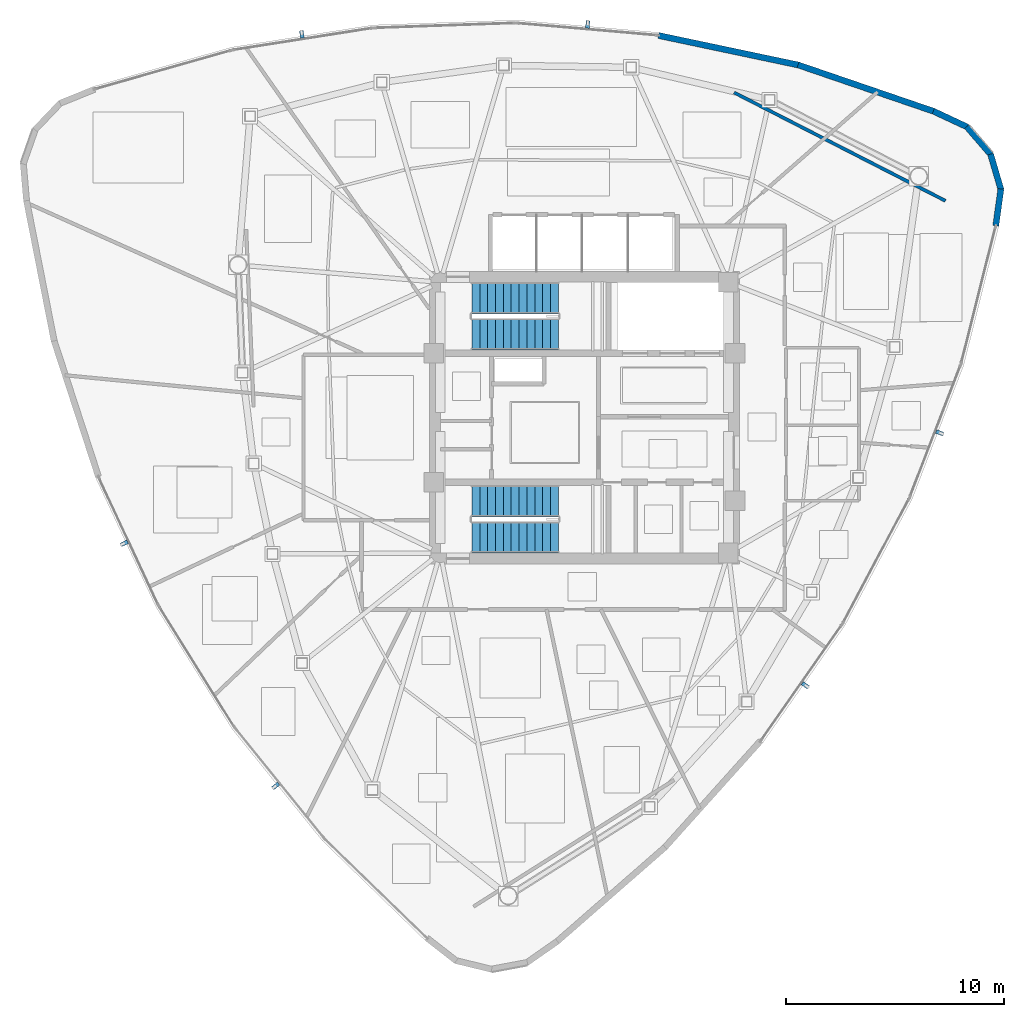
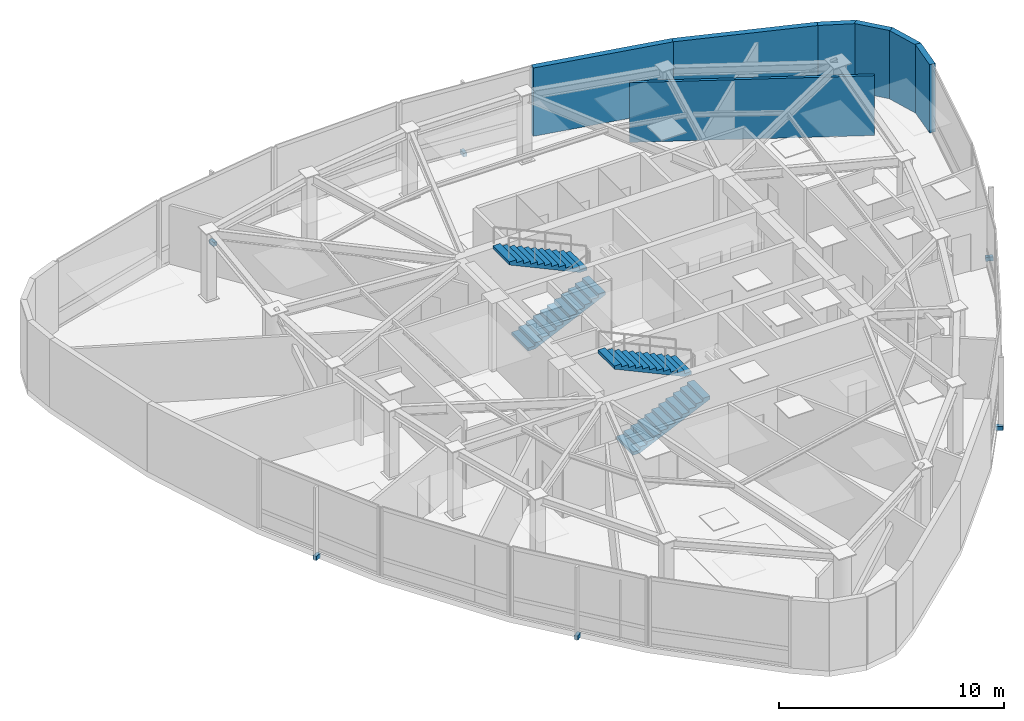
# One storey, part 10 of 12: 7 walls, 6 discrete accessories, 4 stair flights, 2 elements without a shape of their own.
"""IFC4 building model written with IfcOpenShell, lengths in metres."""

from ifc_helpers import new_model, si_unit, direction, frame, frame_2d, origin, origin_2d, place, context, subcontext, project, spatial, polyline, rectangle, outline, extrude, source, transform, mapped, material, layer, layer_set, type_object, type_shapes, element, aggregate, save


model = new_model("IFC4")

# Units and contexts
model_context = context("Model", 3, precision=1e-05, world=origin(), true_north=direction((0.0, 1.0)))
body_context = subcontext(model_context, "Body", "Model", "MODEL_VIEW")
ifc_project = project(units=[si_unit("LENGTHUNIT", "METRE"), si_unit("AREAUNIT", "SQUARE_METRE"), si_unit("VOLUMEUNIT", "CUBIC_METRE"), si_unit("PLANEANGLEUNIT", "RADIAN"), si_unit("MASSUNIT", "GRAM", prefix="KILO")], contexts=[model_context])

# Site, building, storey
site_placement = place(None, origin())
site = spatial("IfcSite", under=ifc_project, at=site_placement, CompositionType="ELEMENT")
building_placement = place(site_placement, origin())
building = spatial("IfcBuilding", under=site, at=building_placement, Name="Tavelor Broadcast Tower", CompositionType="ELEMENT")
storey_placement = place(building_placement, frame((0.0, 0.0, 289.5)))
storey = spatial("IfcBuildingStorey", under=building, at=storey_placement, Name="L69", CompositionType="ELEMENT", Elevation=289.5)

# Walls
ifc_material_1 = material(Name="Precast Concrete C40/50", Category="concrete")
ifc_layer_1 = layer(ifc_material_1, 0.280029296875)
ifc_layer_set_1 = layer_set([ifc_layer_1], Name="Precast Concrete C40/50")
wall_type_1 = type_object("IfcWallType", Name="Insulated Precast Terracotta Facade Wall 280 mm", PredefinedType="STANDARD", material=ifc_layer_set_1)
wall_1_placement = place(storey_placement, frame((68.84765625, 53.788818359375, 0.0), z_axis=(0.0, 0.0, 1.0), x_axis=(0.13837556613, 0.99037982749, 0.0)))
element("IfcWall", 1, at=wall_1_placement, inside=storey, type_object=wall_type_1, Name="L69 Rounded Corner Structural Cladding Pier 21", PredefinedType="STANDARD", context=body_context, shape_type="SweptSolid", body=[
    extrude(rectangle(XDim=1.7060546875, YDim=0.280029296875, at=frame_2d((0.85302734375, 0.0))), origin(), (0.0, 0.0, 1.0), 3.699951171875),
])
wall_2_placement = place(storey_placement, frame((69.085693359375, 55.44921875, 0.0), z_axis=(0.0, 0.0, 1.0), x_axis=(-0.28139396641, 0.95959232785, 0.0)))
element("IfcWall", 2, at=wall_2_placement, inside=storey, type_object=wall_type_1, Name="L69 Rounded Corner Structural Cladding Pier 22", PredefinedType="STANDARD", context=body_context, shape_type="SweptSolid", body=[
    extrude(rectangle(XDim=1.6943359375, YDim=0.280029296875, at=frame_2d((0.84716796875, 0.0))), origin(), (0.0, 0.0, 1.0), 3.699951171875),
])
wall_3_placement = place(storey_placement, frame((68.622802734375, 57.04931640625, 0.0), z_axis=(0.0, 0.0, 1.0), x_axis=(-0.651479246689, 0.758666455785, 0.0)))
element("IfcWall", 3, at=wall_3_placement, inside=storey, type_object=wall_type_1, Name="L69 Rounded Corner Structural Cladding Pier 23", PredefinedType="STANDARD", context=body_context, shape_type="SweptSolid", body=[
    extrude(rectangle(XDim=1.694580078125, YDim=0.280029296875, at=frame_2d((0.84716796875, 0.0))), origin(), (0.0, 0.0, 1.0), 3.699951171875),
])
wall_4_placement = place(storey_placement, frame((67.542236328125, 58.317138671875, 0.0), z_axis=(0.0, 0.0, 1.0), x_axis=(-0.905917775259, 0.423453639103, 0.0)))
element("IfcWall", 4, at=wall_4_placement, inside=storey, type_object=wall_type_1, Name="L69 Rounded Corner Structural Cladding Pier 24", PredefinedType="STANDARD", context=body_context, shape_type="SweptSolid", body=[
    extrude(rectangle(XDim=1.717041015625, YDim=0.280029296875, at=frame_2d((0.8583984375, 0.0))), origin(), (0.0, 0.0, 1.0), 3.699951171875),
])
wall_5_placement = place(storey_placement, frame((66.0146484375, 59.032958984375, 0.0), z_axis=(0.0, 0.0, 1.0), x_axis=(-0.94621332074, 0.323543430861, 0.0)))
element("IfcWall", 5, at=wall_5_placement, inside=storey, type_object=wall_type_1, Name="L69 Rounded Corner Structural Cladding Pier 25", PredefinedType="STANDARD", context=body_context, shape_type="SweptSolid", body=[
    extrude(rectangle(XDim=6.5791015625, YDim=0.280029296875, at=frame_2d((3.28955078125, 0.0))), origin(), (0.0, 0.0, 1.0), 3.699951171875),
])
wall_6_placement = place(storey_placement, frame((59.818115234375, 61.153564453125, 0.0), z_axis=(0.0, 0.0, 1.0), x_axis=(-0.978419421491, 0.206628738683, 0.0)))
element("IfcWall", 6, at=wall_6_placement, inside=storey, type_object=wall_type_1, Name="L69 Rounded Corner Structural Cladding Pier 26", PredefinedType="STANDARD", context=body_context, shape_type="SweptSolid", body=[
    extrude(rectangle(XDim=6.56689453125, YDim=0.280029296875, at=frame_2d((3.283447265625, 0.0))), origin(), (0.0, 0.0, 1.0), 3.699951171875),
])
ifc_material_2 = material(Name="Gypsum Acoustic Plasterboard 150 mm", Category="gypsum")
ifc_layer_2 = layer(ifc_material_2, 0.14990234375)
ifc_layer_set_2 = layer_set([ifc_layer_2], Name="Gypsum Acoustic Plasterboard 150 mm")
wall_type_2 = type_object("IfcWallType", Name="Interior Acoustic Partition Wall 150 mm", PredefinedType="PARTITIONING", material=ifc_layer_set_2)
wall_7_placement = place(storey_placement, frame((66.542724609375, 54.934326171875, 0.0), z_axis=(0.0, 0.0, 1.0), x_axis=(-0.889966951661, 0.456025026673, 0.0)))
element("IfcWall", 7, at=wall_7_placement, inside=storey, type_object=wall_type_2, Name="L69 Corner Tube Brace Furring Wall 3", PredefinedType="PARTITIONING", context=body_context, shape_type="SweptSolid", body=[
    extrude(rectangle(XDim=10.878662109375, YDim=0.14990234375, at=frame_2d((5.439453125, 0.0))), origin(), (0.0, 0.0, 1.0), 3.235107421875),
])

# Stair, stair flights
ifc_material_3 = material(Name="Concrete C40/50", Category="concrete")
stair_type = type_object("IfcStairType", Name="Reinforced Concrete Protected Dogleg Stair 1450 mm", PredefinedType="HALF_TURN_STAIR", material=ifc_material_3)
stair_1_placement = place(storey_placement, origin())
stair_1 = element("IfcStair", 8, at=stair_1_placement, inside=storey, type_object=stair_type, Name="L69 Protected Core Exit Stair ST1", PredefinedType="HALF_TURN_STAIR")
stair_flight_type = type_object("IfcStairFlightType", Name="Reinforced Concrete Stair Flight 1450 mm", PredefinedType="STRAIGHT", material=ifc_material_3)
stair_flight_1_placement = place(storey_placement, frame((44.85009765625, 48.824951171875, 0.0), z_axis=(0.0, 0.0, 1.0), x_axis=(1.0, 0.0, 0.0)))
stair_flight_1 = element("IfcStairFlight", 9, at=stair_flight_1_placement, type_object=stair_flight_type, Name="ST1 flight 1", NumberOfRisers=12, NumberOfTreads=11, PredefinedType="STRAIGHT", RiserHeight=0.166666667, TreadLength=0.36, context=body_context, shape_type="SweptSolid", body=[
    extrude(outline(polyline([(0.0, 0.0), (0.0, 0.166748046875), (0.360107421875, 0.166748046875), (0.360107421875, 0.333251953125), (0.719970703125, 0.333251953125), (0.719970703125, 0.5), (1.080078125, 0.5), (1.080078125, 0.666748046875), (1.43994140625, 0.666748046875), (1.43994140625, 0.833251953125), (1.800048828125, 0.833251953125), (1.800048828125, 1.0), (2.159912109375, 1.0), (2.159912109375, 1.166748046875), (2.52001953125, 1.166748046875), (2.52001953125, 1.333251953125), (2.8798828125, 1.333251953125), (2.8798828125, 1.5), (3.239990234375, 1.5), (3.239990234375, 1.666748046875), (3.60009765625, 1.666748046875), (3.60009765625, 1.833251953125), (3.9599609375, 1.833251953125), (3.9599609375, 2.0), (3.9599609375, 1.668212890625), (0.356689453125, 0.0), (0.0, 0.0)])), frame((0.0, 0.72509765625, 0.0), z_axis=(0.0, -1.0, 0.0), x_axis=(1.0, 0.0, 0.0)), (0.0, 0.0, 1.0), 1.449951171875),
])
stair_flight_2_placement = place(storey_placement, frame((48.81005859375, 50.47509765625, 2.0), z_axis=(0.0, 0.0, 1.0), x_axis=(-1.0, 0.0, 0.0)))
stair_flight_2 = element("IfcStairFlight", 10, at=stair_flight_2_placement, type_object=stair_flight_type, Name="ST1 flight 2", NumberOfRisers=12, NumberOfTreads=11, PredefinedType="STRAIGHT", RiserHeight=0.166666667, TreadLength=0.36, context=body_context, shape_type="SweptSolid", body=[
    extrude(outline(polyline([(0.0, 0.0), (0.0, 0.166748046875), (0.360107421875, 0.166748046875), (0.360107421875, 0.333251953125), (0.719970703125, 0.333251953125), (0.719970703125, 0.5), (1.080078125, 0.5), (1.080078125, 0.666748046875), (1.43994140625, 0.666748046875), (1.43994140625, 0.833251953125), (1.800048828125, 0.833251953125), (1.800048828125, 1.0), (2.159912109375, 1.0), (2.159912109375, 1.166748046875), (2.52001953125, 1.166748046875), (2.52001953125, 1.333251953125), (2.8798828125, 1.333251953125), (2.8798828125, 1.5), (3.239990234375, 1.5), (3.239990234375, 1.666748046875), (3.60009765625, 1.666748046875), (3.60009765625, 1.833251953125), (3.9599609375, 1.833251953125), (3.9599609375, 2.0), (3.9599609375, 1.668212890625), (0.356689453125, 0.0), (0.0, 0.0)])), frame((0.0, 0.72509765625, 0.0), z_axis=(0.0, -1.0, 0.0), x_axis=(1.0, 0.0, 0.0)), (0.0, 0.0, 1.0), 1.449951171875),
])
aggregate(stair_1, [stair_flight_1, stair_flight_2])

stair_2_placement = place(storey_placement, origin())
stair_2 = element("IfcStair", 11, at=stair_2_placement, inside=storey, type_object=stair_type, Name="L69 Protected Core Exit Stair ST2", PredefinedType="HALF_TURN_STAIR")
stair_flight_3_placement = place(storey_placement, frame((44.85009765625, 39.52490234375, 0.0), z_axis=(0.0, 0.0, 1.0), x_axis=(1.0, 0.0, 0.0)))
stair_flight_3 = element("IfcStairFlight", 12, at=stair_flight_3_placement, type_object=stair_flight_type, Name="ST2 flight 1", NumberOfRisers=12, NumberOfTreads=11, PredefinedType="STRAIGHT", RiserHeight=0.166666667, TreadLength=0.36, context=body_context, shape_type="SweptSolid", body=[
    extrude(outline(polyline([(0.0, 0.0), (0.0, 0.166748046875), (0.360107421875, 0.166748046875), (0.360107421875, 0.333251953125), (0.719970703125, 0.333251953125), (0.719970703125, 0.5), (1.080078125, 0.5), (1.080078125, 0.666748046875), (1.43994140625, 0.666748046875), (1.43994140625, 0.833251953125), (1.800048828125, 0.833251953125), (1.800048828125, 1.0), (2.159912109375, 1.0), (2.159912109375, 1.166748046875), (2.52001953125, 1.166748046875), (2.52001953125, 1.333251953125), (2.8798828125, 1.333251953125), (2.8798828125, 1.5), (3.239990234375, 1.5), (3.239990234375, 1.666748046875), (3.60009765625, 1.666748046875), (3.60009765625, 1.833251953125), (3.9599609375, 1.833251953125), (3.9599609375, 2.0), (3.9599609375, 1.668212890625), (0.356689453125, 0.0), (0.0, 0.0)])), frame((0.0, 0.72509765625, 0.0), z_axis=(0.0, -1.0, 0.0), x_axis=(1.0, 0.0, 0.0)), (0.0, 0.0, 1.0), 1.449951171875),
])
stair_flight_4_placement = place(storey_placement, frame((48.81005859375, 41.175048828125, 2.0), z_axis=(0.0, 0.0, 1.0), x_axis=(-1.0, 0.0, 0.0)))
stair_flight_4 = element("IfcStairFlight", 13, at=stair_flight_4_placement, type_object=stair_flight_type, Name="ST2 flight 2", NumberOfRisers=12, NumberOfTreads=11, PredefinedType="STRAIGHT", RiserHeight=0.166666667, TreadLength=0.36, context=body_context, shape_type="SweptSolid", body=[
    extrude(outline(polyline([(0.0, 0.0), (0.0, 0.166748046875), (0.360107421875, 0.166748046875), (0.360107421875, 0.333251953125), (0.719970703125, 0.333251953125), (0.719970703125, 0.5), (1.080078125, 0.5), (1.080078125, 0.666748046875), (1.43994140625, 0.666748046875), (1.43994140625, 0.833251953125), (1.800048828125, 0.833251953125), (1.800048828125, 1.0), (2.159912109375, 1.0), (2.159912109375, 1.166748046875), (2.52001953125, 1.166748046875), (2.52001953125, 1.333251953125), (2.8798828125, 1.333251953125), (2.8798828125, 1.5), (3.239990234375, 1.5), (3.239990234375, 1.666748046875), (3.60009765625, 1.666748046875), (3.60009765625, 1.833251953125), (3.9599609375, 1.833251953125), (3.9599609375, 2.0), (3.9599609375, 1.668212890625), (0.356689453125, 0.0), (0.0, 0.0)])), frame((0.0, 0.72509765625, 0.0), z_axis=(0.0, -1.0, 0.0), x_axis=(1.0, 0.0, 0.0)), (0.0, 0.0, 1.0), 1.449951171875),
])
aggregate(stair_2, [stair_flight_3, stair_flight_4])

# Discrete accessories
ifc_material_4 = material(Name="Steel S355", Category="steel")
discrete_accessory_type = type_object("IfcDiscreteAccessoryType", Name="Stainless Baguette Outrigger Support Bracket 260x180", PredefinedType="BRACKET", material=ifc_material_4)
shared_shape = source(origin(), body_context, "Body", "SweptSolid", [
    extrude(rectangle(XDim=0.179931640625, YDim=0.340087890625, at=origin_2d()), origin(), (0.0, 0.0, 1.0), 0.216064453125),
])
type_shapes(discrete_accessory_type, [shared_shape])
for number, where, z_axis, x_axis, name in (
    (14, (28.92333984375, 39.244873046875, -0.2578125), (0.0, 0.0, 1.0), (0.422934597085, -0.906160210221, 0.0), "L69 Baguette Outrigger Bracket 685"),
    (15, (35.861083984375, 28.131103515625, -0.2578125), (0.0, 0.0, 1.0), (0.628370458711, -0.777914241173, 0.0), "L69 Baguette Outrigger Bracket 686"),
    (16, (60.12255859375, 32.7421875, -0.2578125), (0.0, 0.0, 1.0), (0.573290463408, 0.819352210326, 0.0), "L69 Baguette Outrigger Bracket 687"),
    (17, (66.2783203125, 44.307373046875, -0.2578125), (0.0, 0.0, 1.0), (0.359508265466, 0.933141900818, 0.0), "L69 Baguette Outrigger Bracket 688"),
    (18, (50.154296875, 63.012939453125, -0.2578125), (0.0, 0.0, 1.0), (-0.996225060493, 0.086807999895, 0.0), "L69 Baguette Outrigger Bracket 689"),
    (19, (37.060791015625, 62.561279296875, -0.2578125), (0.0, 0.0, 1.0), (-0.987878724177, -0.155227659645, 0.0), "L69 Baguette Outrigger Bracket 690"),
):
    element("IfcDiscreteAccessory", number, at=place(storey_placement, frame(where, z_axis=z_axis, x_axis=x_axis)), inside=storey, type_object=discrete_accessory_type, Name=name, PredefinedType="BRACKET", context=body_context, shape_type="MappedRepresentation", body=[
        mapped(shared_shape, transform((0.0, 0.0, 0.0), scale=1.0)),
    ])

save(model, "model.ifc")
